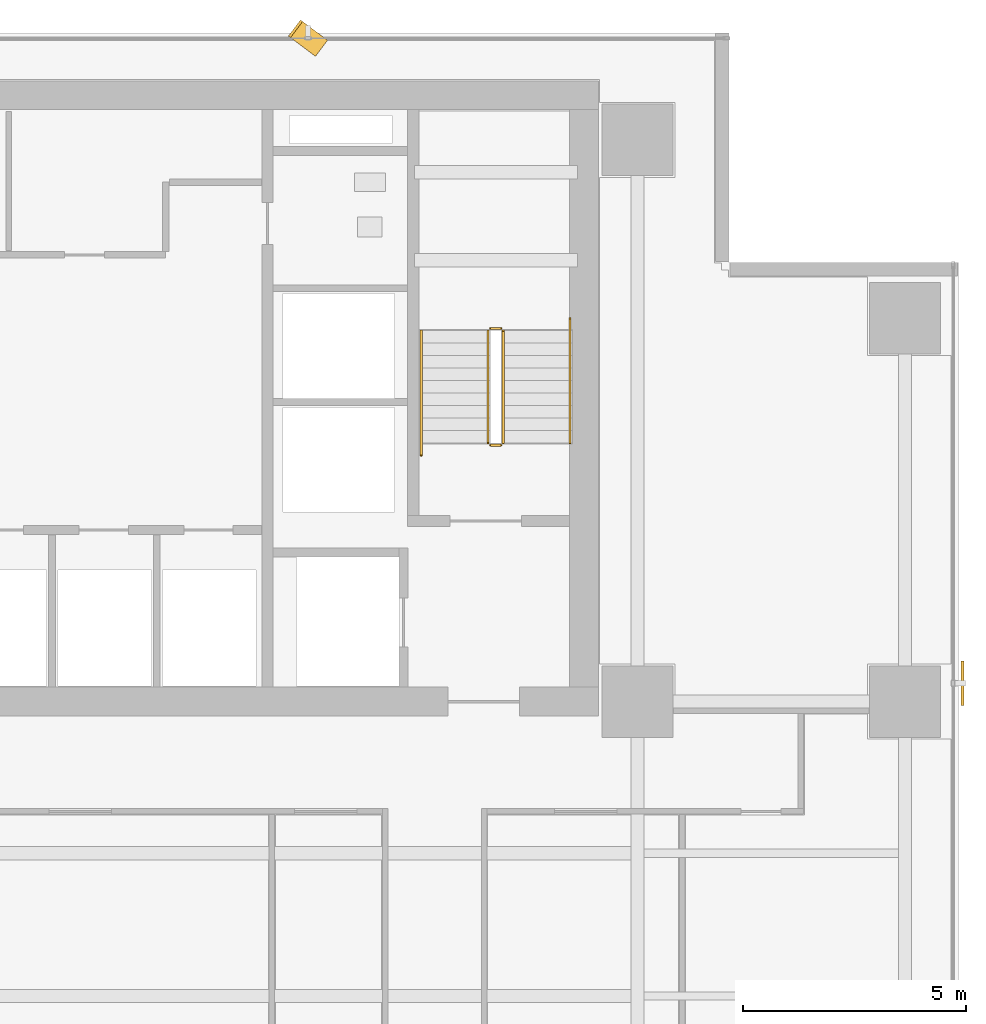
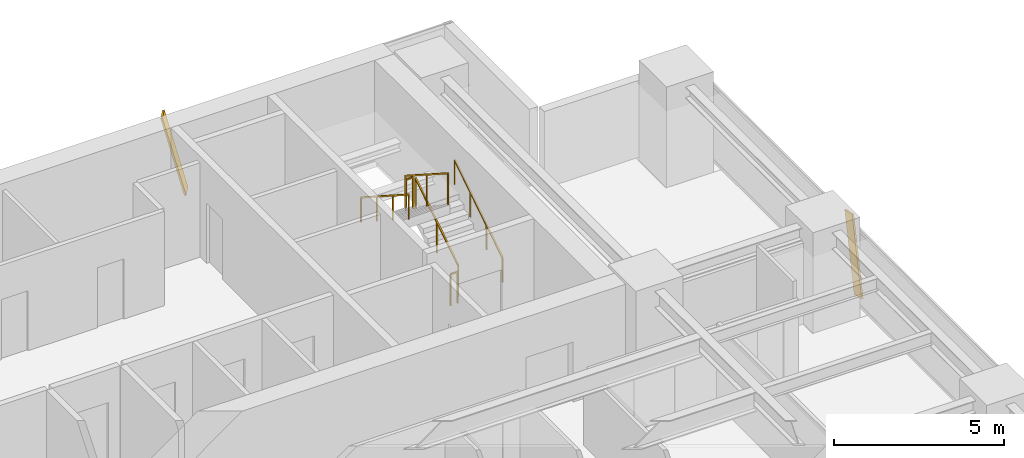
# One storey, part 27 of 28: 6 railings, 2 shading devices.
"""IFC4 building model written with IfcOpenShell, lengths in metres."""

from ifc_helpers import new_model, si_unit, direction, frame, origin, origin_2d, place, context, subcontext, project, spatial, rectangle, extrude, source, transform, mapped, material, material_profile, profile_set, type_object, element, save


model = new_model("IFC4")

# Units and contexts
model_context = context("Model", 3, precision=1e-05, world=origin(), true_north=direction((0.0, 1.0)))
body_context = subcontext(model_context, "Body", "Model", "MODEL_VIEW")
ifc_project = project(units=[si_unit("LENGTHUNIT", "METRE"), si_unit("AREAUNIT", "SQUARE_METRE"), si_unit("VOLUMEUNIT", "CUBIC_METRE"), si_unit("PLANEANGLEUNIT", "RADIAN"), si_unit("MASSUNIT", "GRAM", prefix="KILO")], contexts=[model_context])

# Site, building, storey
site_placement = place(None, origin())
site = spatial("IfcSite", under=ifc_project, at=site_placement, CompositionType="ELEMENT")
building_placement = place(site_placement, origin())
building = spatial("IfcBuilding", under=site, at=building_placement, Name="Sumidabori Civic Tower", CompositionType="ELEMENT")
storey_placement = place(building_placement, frame((0.0, 0.0, 182.0)))
storey = spatial("IfcBuildingStorey", under=building, at=storey_placement, Name="L47", CompositionType="ELEMENT", Elevation=182.0)

# Railings
ifc_material_1 = material(Name="Stainless Steel Hairline Finish", Category="steel")
railing_type_1 = type_object("IfcRailingType", Name="RL-HANDRAIL", PredefinedType="HANDRAIL", material=ifc_material_1)
railing_1_placement = place(storey_placement, frame((15.2900390625, 16.0, 0.179931640625)))
element("IfcRailing", 1, at=railing_1_placement, inside=storey, type_object=railing_type_1, Name="L47 ST-2 stair handrail 1", PredefinedType="HANDRAIL", context=body_context, shape_type="SweptSolid", body=[
    extrude(rectangle(XDim=0.048095703125, YDim=0.048095703125, at=origin_2d()), frame((0.0, 0.0, 0.8759765625), z_axis=(0.0, 0.84064222762, 0.54159084662), x_axis=(-1.0, 0.0, 0.0)), (0.0, 0.0, 1.0), 3.330810546875),
    extrude(rectangle(XDim=0.0419921875, YDim=0.0419921875, at=origin_2d()), origin(), (0.0, 0.0, 1.0), 0.851806640625),
    extrude(rectangle(XDim=0.0419921875, YDim=0.0419921875, at=origin_2d()), frame((0.0, 0.933349609375, 0.601318359375)), (0.0, 0.0, 1.0), 0.851806640625),
    extrude(rectangle(XDim=0.0419921875, YDim=0.0419921875, at=origin_2d()), frame((0.0, 1.86669921875, 1.20263671875)), (0.0, 0.0, 1.0), 0.851806640625),
    extrude(rectangle(XDim=0.0419921875, YDim=0.0419921875, at=origin_2d()), frame((0.0, 2.800048828125, 1.803955078125)), (0.0, 0.0, 1.0), 0.851806640625),
])
railing_2_placement = place(storey_placement, frame((11.949951171875, 18.52001953125, 1.97998046875)))
element("IfcRailing", 2, at=railing_2_placement, inside=storey, type_object=railing_type_1, Name="L47 ST-2 stair handrail 2", PredefinedType="HANDRAIL", context=body_context, shape_type="SweptSolid", body=[
    extrude(rectangle(XDim=0.048095703125, YDim=0.048095703125, at=origin_2d()), frame((0.0, 0.0, 0.8759765625), z_axis=(0.0, -0.840675598268, 0.541539046124), x_axis=(1.0, 0.0, 0.0)), (0.0, 0.0, 1.0), 3.330810546875),
    extrude(rectangle(XDim=0.0419921875, YDim=0.0419921875, at=origin_2d()), origin(), (0.0, 0.0, 1.0), 0.851806640625),
    extrude(rectangle(XDim=0.0419921875, YDim=0.0419921875, at=origin_2d()), frame((0.0, -0.933349609375, 0.601318359375)), (0.0, 0.0, 1.0), 0.851806640625),
    extrude(rectangle(XDim=0.0419921875, YDim=0.0419921875, at=origin_2d()), frame((0.0, -1.86669921875, 1.202392578125)), (0.0, 0.0, 1.0), 0.851806640625),
    extrude(rectangle(XDim=0.0419921875, YDim=0.0419921875, at=origin_2d()), frame((0.0, -2.800048828125, 1.8037109375)), (0.0, 0.0, 1.0), 0.851806640625),
])
ifc_material_2 = material(Name="Steel SN490", Category="steel")
railing_type_2 = type_object("IfcRailingType", Name="RL-STAIR-GUARD", PredefinedType="GUARDRAIL", material=ifc_material_2)
railing_3_placement = place(storey_placement, frame((13.7900390625, 16.0, 0.179931640625)))
element("IfcRailing", 3, at=railing_3_placement, inside=storey, type_object=railing_type_2, Name="L47 ST-2 stair guard 1", PredefinedType="GUARDRAIL", context=body_context, shape_type="SweptSolid", body=[
    extrude(rectangle(XDim=0.048095703125, YDim=0.048095703125, at=origin_2d()), frame((0.0, 0.0, 1.1259765625), z_axis=(0.0, 0.841162588446, 0.540782303519), x_axis=(-1.0, 0.0, 0.0)), (0.0, 0.0, 1.0), 2.995849609375),
    extrude(rectangle(XDim=0.0419921875, YDim=0.0419921875, at=origin_2d()), origin(), (0.0, 0.0, 1.0), 1.101806640625),
    extrude(rectangle(XDim=0.0419921875, YDim=0.0419921875, at=origin_2d()), frame((0.0, 1.260009765625, 0.81005859375)), (0.0, 0.0, 1.0), 1.101806640625),
    extrude(rectangle(XDim=0.0419921875, YDim=0.0419921875, at=origin_2d()), frame((0.0, 2.52001953125, 1.6201171875)), (0.0, 0.0, 1.0), 1.101806640625),
])
railing_4_placement = place(storey_placement, frame((13.739990234375, 18.570068359375, 1.800048828125)))
element("IfcRailing", 4, at=railing_4_placement, inside=storey, type_object=railing_type_2, Name="L47 ST-2 stair guard 2", PredefinedType="GUARDRAIL", context=body_context, shape_type="SweptSolid", body=[
    extrude(rectangle(XDim=0.048095703125, YDim=0.048095703125, at=origin_2d()), frame((0.0, 0.0, 1.1259765625), z_axis=(-1.0, 0.0, 0.0), x_axis=(0.0, -1.0, 0.0)), (0.0, 0.0, 1.0), 0.239990234375),
    extrude(rectangle(XDim=0.0419921875, YDim=0.0419921875, at=origin_2d()), origin(), (0.0, 0.0, 1.0), 1.101806640625),
    extrude(rectangle(XDim=0.0419921875, YDim=0.0419921875, at=origin_2d()), frame((-0.239990234375, 0.0, 0.0)), (0.0, 0.0, 1.0), 1.101806640625),
])
railing_5_placement = place(storey_placement, frame((13.449951171875, 18.52001953125, 1.97998046875)))
element("IfcRailing", 5, at=railing_5_placement, inside=storey, type_object=railing_type_2, Name="L47 ST-2 stair guard 3", PredefinedType="GUARDRAIL", context=body_context, shape_type="SweptSolid", body=[
    extrude(rectangle(XDim=0.048095703125, YDim=0.048095703125, at=origin_2d()), frame((0.0, 0.0, 1.1259765625), z_axis=(0.0, -0.841162588446, 0.540782303519), x_axis=(1.0, 0.0, 0.0)), (0.0, 0.0, 1.0), 2.995849609375),
    extrude(rectangle(XDim=0.0419921875, YDim=0.0419921875, at=origin_2d()), origin(), (0.0, 0.0, 1.0), 1.101806640625),
    extrude(rectangle(XDim=0.0419921875, YDim=0.0419921875, at=origin_2d()), frame((0.0, -1.260009765625, 0.81005859375)), (0.0, 0.0, 1.0), 1.101806640625),
    extrude(rectangle(XDim=0.0419921875, YDim=0.0419921875, at=origin_2d()), frame((0.0, -2.52001953125, 1.6201171875)), (0.0, 0.0, 1.0), 1.101806640625),
])
railing_6_placement = place(storey_placement, frame((13.739990234375, 15.949951171875, 0.0)))
element("IfcRailing", 6, at=railing_6_placement, inside=storey, type_object=railing_type_2, Name="L47 ST-2 stair guard 4", PredefinedType="GUARDRAIL", context=body_context, shape_type="SweptSolid", body=[
    extrude(rectangle(XDim=0.048095703125, YDim=0.048095703125, at=origin_2d()), frame((0.0, 0.0, 1.1259765625), z_axis=(-1.0, 0.0, 0.0), x_axis=(0.0, -1.0, 0.0)), (0.0, 0.0, 1.0), 0.239990234375),
    extrude(rectangle(XDim=0.0419921875, YDim=0.0419921875, at=origin_2d()), origin(), (0.0, 0.0, 1.0), 1.101806640625),
    extrude(rectangle(XDim=0.0419921875, YDim=0.0419921875, at=origin_2d()), frame((-0.239990234375, 0.0, 0.0)), (0.0, 0.0, 1.0), 1.101806640625),
])

# Shading devices
ifc_material_3 = material(Name="Anodised Bronze Aluminium AW-6063-T6", Category="aluminium")
ifc_material_profile = material_profile(ifc_material_3, rectangle(XDim=0.06005859375, YDim=0.449951171875, at=origin_2d()), Name="BRONZE FIN 450x60")
ifc_profile_set = profile_set([ifc_material_profile], Name="Anodised Bronze Aluminium AW-6063-T6")
shading_device_type = type_object("IfcShadingDeviceType", Name="SH-FIN-450", PredefinedType="USERDEFINED", material=ifc_profile_set)
shared_shape_1 = source(origin(), body_context, "Body", "SweptSolid", [
    extrude(rectangle(XDim=0.06005859375, YDim=0.449951171875, at=origin_2d()), origin(), (0.0, 0.0, 1.0), 2.789306640625),
])
shading_device_1_placement = place(storey_placement, frame((9.68994140625, 24.8701171875, 0.02001953125), z_axis=(-0.200794136335, 0.150551837182, 0.967995794998), x_axis=(0.774477654896, -0.580689436103, 0.250966413819)))
element("IfcShadingDevice", 7, at=shading_device_1_placement, inside=storey, type_object=shading_device_type, Name="Bronze Anodised Diagonal Fin L47-01", ObjectType="FIN", PredefinedType="USERDEFINED", context=body_context, shape_type="MappedRepresentation", body=[
    mapped(shared_shape_1, transform((0.0, 0.0, 0.0), x_axis=(1.0, 0.0, 0.0), y_axis=(0.0, 1.0, 0.0), z_axis=(0.0, 0.0, 1.0), scale=1.0)),
])
shared_shape_2 = source(origin(), body_context, "Body", "SweptSolid", [
    extrude(rectangle(XDim=0.06005859375, YDim=0.449951171875, at=origin_2d()), origin(), (0.0, 0.0, 1.0), 2.75732421875),
])
shading_device_2_placement = place(storey_placement, frame((24.090087890625, 10.330078125, 0.02001953125), z_axis=(0.0, 0.20302426177, 0.979173707333), x_axis=(-1.0, 0.0, 0.0)))
element("IfcShadingDevice", 8, at=shading_device_2_placement, inside=storey, type_object=shading_device_type, Name="Bronze Anodised Diagonal Fin L47-03", ObjectType="FIN", PredefinedType="USERDEFINED", context=body_context, shape_type="MappedRepresentation", body=[
    mapped(shared_shape_2, transform((0.0, 0.0, 0.0), x_axis=(1.0, 0.0, 0.0), y_axis=(0.0, 1.0, 0.0), z_axis=(0.0, 0.0, 1.0), scale=1.0)),
])

save(model, "model.ifc")
